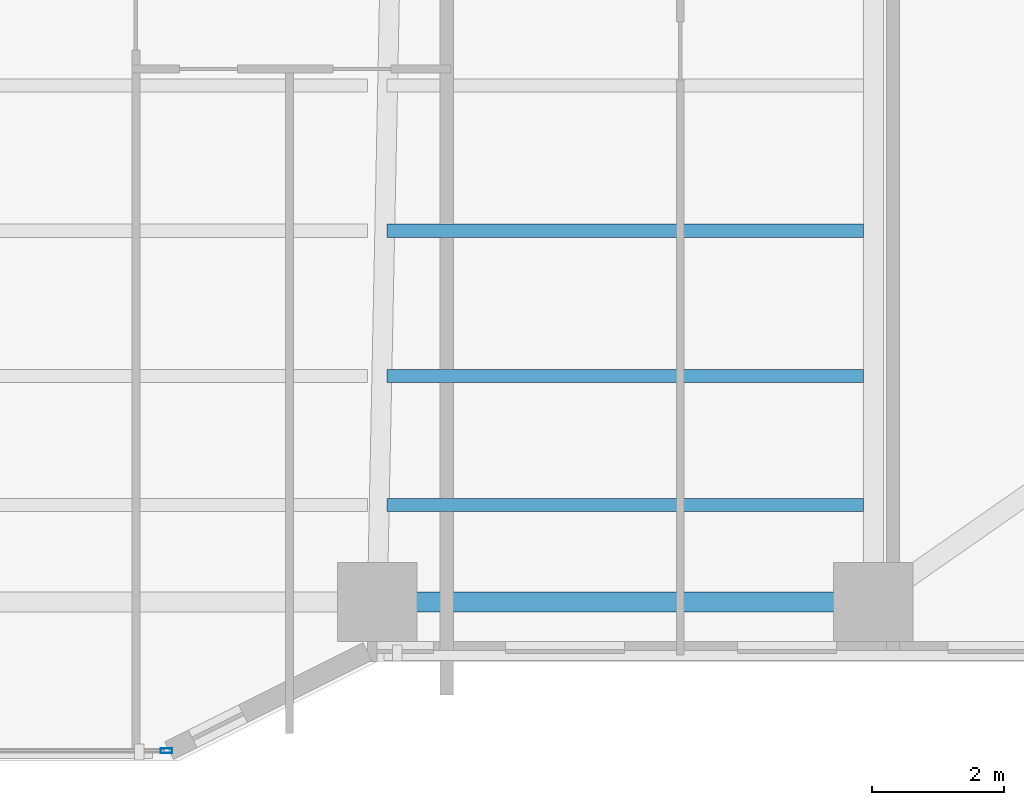
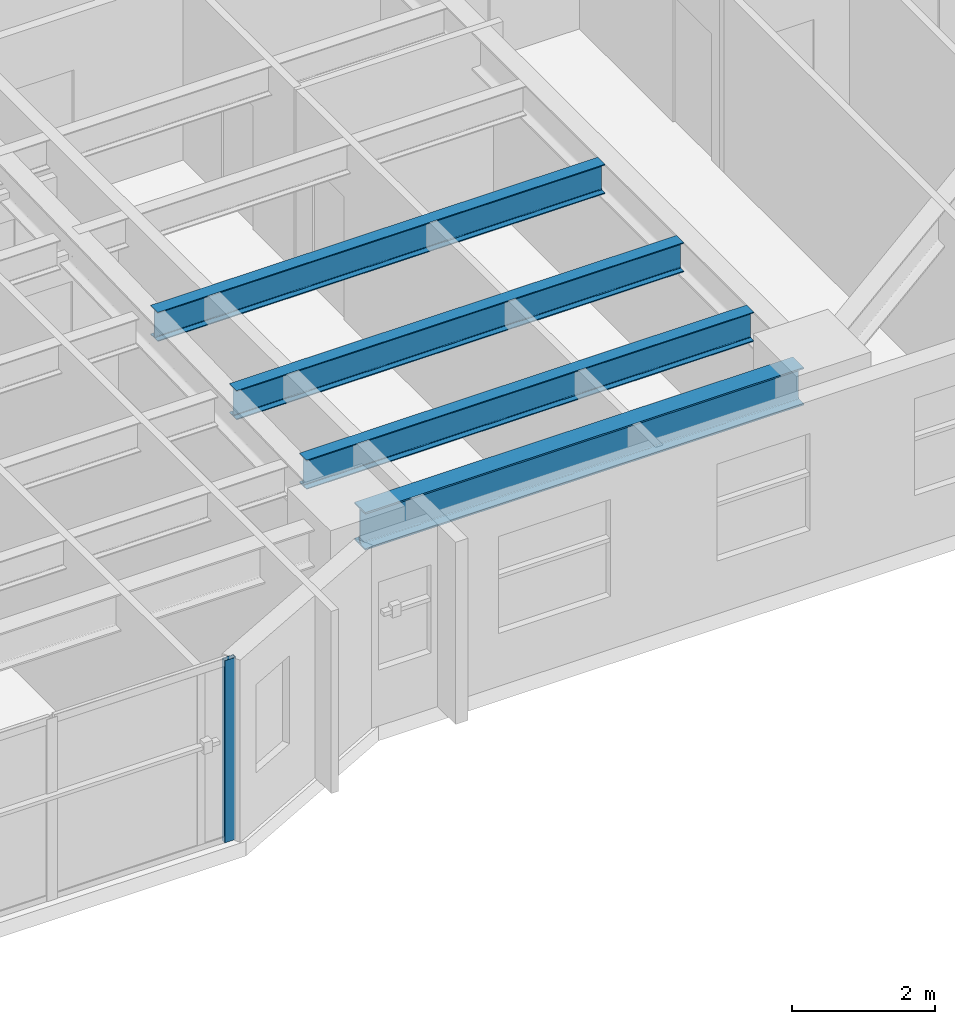
# One storey, part 4 of 21: 4 beams, 1 member, 1 element without a shape of its own.
"""IFC4 building model written with IfcOpenShell, lengths in metres."""

from ifc_helpers import new_model, si_unit, direction, frame, origin, origin_2d, place, context, subcontext, project, spatial, hollow_rectangle, i_section, extrude, material, layer, layer_set, material_profile, profile_set, type_object, element, aggregate, save


model = new_model("IFC4")

# Units and contexts
model_context = context("Model", 3, precision=1e-05, world=origin(), true_north=direction((0.0, 1.0)))
body_context = subcontext(model_context, "Body", "Model", "MODEL_VIEW")
ifc_project = project(units=[si_unit("LENGTHUNIT", "METRE"), si_unit("AREAUNIT", "SQUARE_METRE"), si_unit("VOLUMEUNIT", "CUBIC_METRE"), si_unit("PLANEANGLEUNIT", "RADIAN"), si_unit("MASSUNIT", "GRAM", prefix="KILO")], contexts=[model_context])

# Site, building, storey
site_placement = place(None, origin())
site = spatial("IfcSite", under=ifc_project, at=site_placement, CompositionType="ELEMENT")
building_placement = place(site_placement, origin())
building = spatial("IfcBuilding", under=site, at=building_placement, Name="Tarnavaz Court Tower", CompositionType="ELEMENT")
storey_placement = place(building_placement, frame((0.0, 0.0, 47.449951171875)))
storey = spatial("IfcBuildingStorey", under=building, at=storey_placement, Name="L12", CompositionType="ELEMENT", Elevation=47.449951171875)

# Beams
ifc_material_1 = material(Name="Steel S355", Category="steel")
ifc_material_profile_1 = material_profile(ifc_material_1, i_section(OverallWidth=0.199951171875, OverallDepth=0.5, WebThickness=0.01025390625, FlangeThickness=0.01611328125, FilletRadius=0.02099609375, at=origin_2d()), Name="IPE 500")
ifc_profile_set_1 = profile_set([ifc_material_profile_1], Name="Steel S355")
beam_type_1 = type_object("IfcBeamType", Name="BM-J-IPE500", PredefinedType="JOIST", material=ifc_profile_set_1)
for number, where, z_axis, x_axis, name in (
    (1, (7.64990234375, -17.18798828125, 2.85009765625), (1.0, 0.0, 0.0), (0.0, 1.0, 0.0), "L12 Beam JS3-3"),
    (2, (7.64990234375, -19.384033203125, 2.85009765625), (1.0, 0.0, 0.0), (0.0, 1.0, 0.0), "L12 Beam JS4-3"),
    (3, (7.64990234375, -21.3359375, 2.85009765625), (1.0, 0.0, 0.0), (0.0, 1.0, 0.0), "L12 Beam JS5-3"),
):
    element("IfcBeam", number, at=place(storey_placement, frame(where, z_axis=z_axis, x_axis=x_axis)), inside=storey, type_object=beam_type_1, Name=name, PredefinedType="JOIST", context=body_context, shape_type="SweptSolid", body=[
        extrude(i_section(OverallWidth=0.199951171875, OverallDepth=0.5, WebThickness=0.01025390625, FlangeThickness=0.01611328125, FilletRadius=0.02099609375, at=origin_2d()), origin(), (0.0, 0.0, 1.0), 7.2001953125),
    ])
ifc_material_profile_2 = material_profile(ifc_material_1, i_section(OverallWidth=0.300048828125, OverallDepth=0.639892578125, WebThickness=0.013427734375, FlangeThickness=0.02587890625, FilletRadius=0.027099609375, at=origin_2d()), Name="HEA 650")
ifc_profile_set_2 = profile_set([ifc_material_profile_2], Name="Steel S355")
beam_type_2 = type_object("IfcBeamType", Name="BM-SP-HEA650", PredefinedType="SPANDREL", material=ifc_profile_set_2)
beam_placement = place(storey_placement, frame((7.719970703125, -22.800048828125, 2.780029296875), z_axis=(1.0, 0.0, 0.0), x_axis=(0.0, 1.0, 0.0)))
element("IfcBeam", 4, at=beam_placement, inside=storey, type_object=beam_type_2, Name="L12 Beam PR-PS-3-PS-4", PredefinedType="SPANDREL", context=body_context, shape_type="SweptSolid", body=[
    extrude(i_section(OverallWidth=0.300048828125, OverallDepth=0.639892578125, WebThickness=0.013427734375, FlangeThickness=0.02587890625, FilletRadius=0.027099609375, at=origin_2d()), origin(), (0.0, 0.0, 1.0), 7.06005859375),
])

# Curtain wall, member
ifc_material_2 = material(Name="Anodised Aluminium 6063-T6 and Solar Low-E Glazing", Category="aluminium")
ifc_layer = layer(ifc_material_2, 0.179931640625)
ifc_layer_set = layer_set([ifc_layer], Name="Anodised Aluminium 6063-T6 and Solar Low-E Glazing")
curtain_wall_type = type_object("IfcCurtainWallType", Name="CW-SYS-02", PredefinedType="NOTDEFINED", material=ifc_layer_set)
curtain_wall_placement = place(storey_placement, origin())
curtain_wall = element("IfcCurtainWall", 5, at=curtain_wall_placement, inside=storey, type_object=curtain_wall_type, Name="L12 Iwan Prow Curtain Wall 17", PredefinedType="NOTDEFINED")
ifc_material_3 = material(Name="Anodised Aluminium 6063-T6", Category="aluminium")
ifc_material_profile_3 = material_profile(ifc_material_3, hollow_rectangle(XDim=0.074951171875, YDim=0.179931640625, WallThickness=0.0048828125, InnerFilletRadius=0.0048828125, OuterFilletRadius=0.010009765625, at=origin_2d()), Name="ALU RHS 180X75X5")
ifc_profile_set_3 = profile_set([ifc_material_profile_3], Name="Anodised Aluminium 6063-T6")
member_type = type_object("IfcMemberType", Name="CW-MUL-180", PredefinedType="MULLION", material=ifc_profile_set_3)
member_placement = place(storey_placement, frame((4.3125, -25.050048828125, 0.0), z_axis=(0.0, 0.0, 1.0), x_axis=(0.0, -1.0, 0.0)))
member = element("IfcMember", 6, at=member_placement, type_object=member_type, Name="CW mullion 1", PredefinedType="MULLION", context=body_context, shape_type="SweptSolid", body=[
    extrude(hollow_rectangle(XDim=0.074951171875, YDim=0.179931640625, WallThickness=0.0048828125, InnerFilletRadius=0.0048828125, OuterFilletRadius=0.010009765625, at=origin_2d()), origin(), (0.0, 0.0, 1.0), 3.10009765625),
])
aggregate(curtain_wall, [member])

save(model, "model.ifc")
